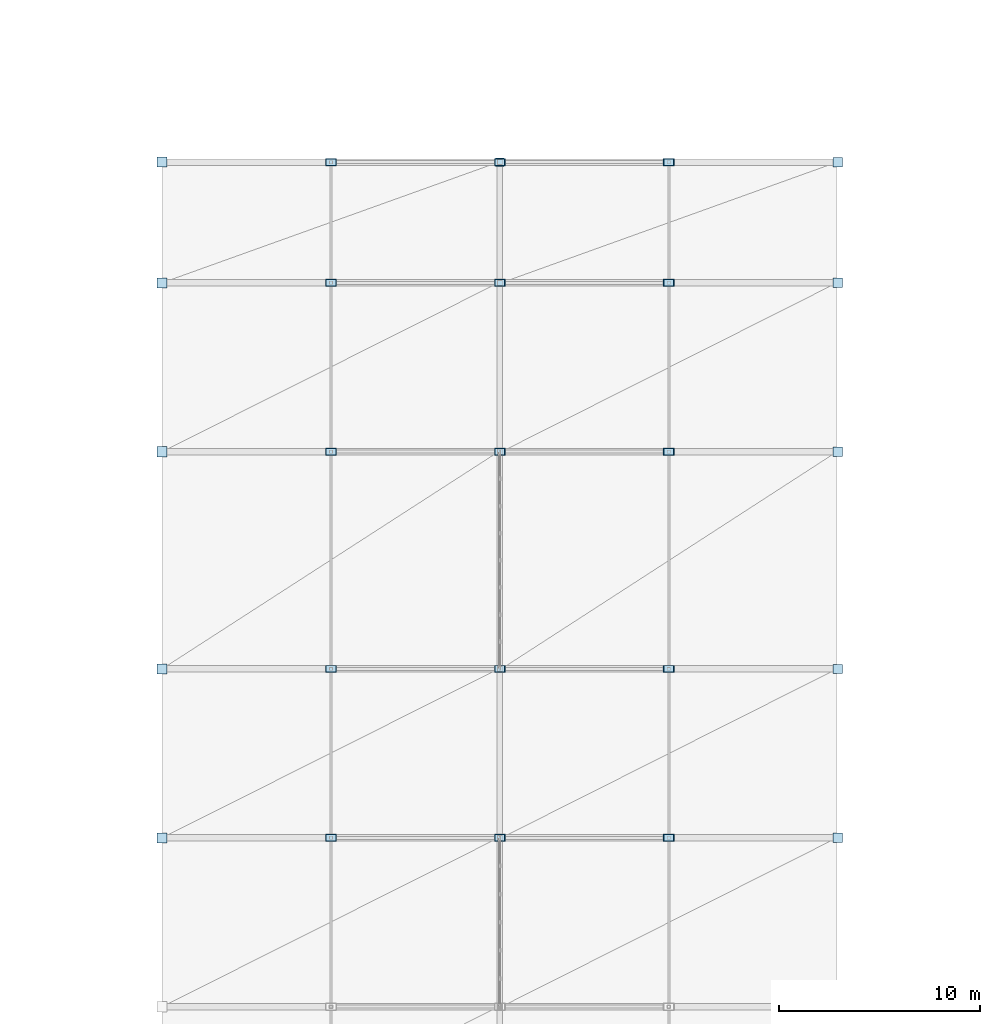
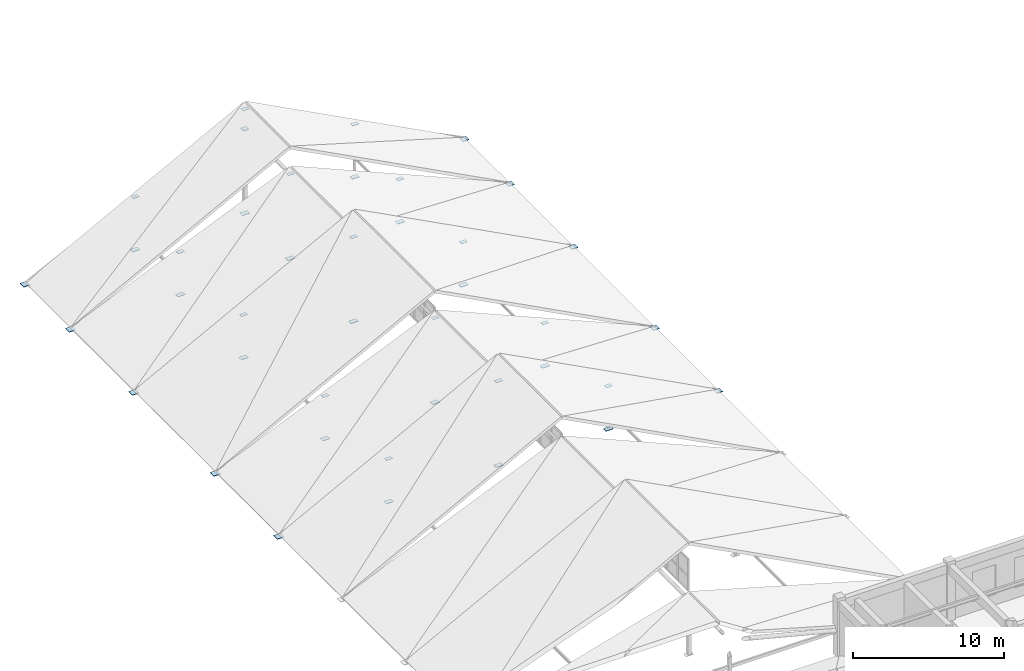
# One storey, part 64 of 76: 41 plates.
"""IFC4 building model written with IfcOpenShell, lengths in metres."""

import ifcopenshell
import ifcopenshell.guid

model = None  # the IFC model being written
_history = None  # IfcOwnerHistory: only IFC2X3 demands one
_inside = {}  # id of a spatial element -> (the spatial element, [elements in it])
_under = {}  # id of a project, library or spatial element -> (it, [spatial elements below it])
_declared = {}  # id of a project -> (the project, [libraries it declares])
_typed = {}  # id of a type object -> (the type object, [elements of that type])
_made_of = {}  # id of a material, layer set ... -> (it, [elements and type objects made of it])


def new_model(schema):
    """Start an empty IFC model of exactly this schema.

    Asked for "IFC4X3", IfcOpenShell would pick the latest addendum, in which some entities
    have other attributes; the version numbers below select the first issue.
    IFC2X3 requires an IfcOwnerHistory on every rooted entity: one is made here for all.
    """
    global model, _history
    if schema == "IFC4X3":
        model = ifcopenshell.file(schema_version=(4, 3, 0, 0))
    else:
        model = ifcopenshell.file(schema=schema)
    _inside.clear()
    _under.clear()
    _declared.clear()
    _typed.clear()
    _made_of.clear()
    _history = None
    if model.schema == "IFC2X3":
        org = make("IfcOrganization", Name="unknown")
        user = make(
            "IfcPersonAndOrganization",
            ThePerson=make("IfcPerson", FamilyName="unknown"),
            TheOrganization=org,
        )
        app = make(
            "IfcApplication",
            ApplicationDeveloper=org,
            Version="unknown",
            ApplicationFullName="unknown",
            ApplicationIdentifier="unknown",
        )
        _history = make(
            "IfcOwnerHistory",
            OwningUser=user,
            OwningApplication=app,
            ChangeAction="ADDED",
            CreationDate=0,
        )
    return model


def make(cls, **values):
    """One entity of the class cls with the attributes given. An attribute that is None is left unset."""
    return model.create_entity(
        cls, **{name: value for name, value in values.items() if value is not None}
    )


def rooted(cls, **values):
    """An entity with a GlobalId (a new one), such as an element, a storey or a relation."""
    return make(cls, GlobalId=ifcopenshell.guid.new(), OwnerHistory=_history, **values)


def si_unit(unit_type, name, prefix=None):
    """IfcSIUnit, for example si_unit("LENGTHUNIT", "METRE", prefix="MILLI")."""
    return make("IfcSIUnit", UnitType=unit_type, Prefix=prefix, Name=name)


def assignment(units):
    """IfcUnitAssignment: the units of a project."""
    return None if units is None else make("IfcUnitAssignment", Units=units)


def point(xyz):
    """IfcCartesianPoint."""
    return None if xyz is None else make("IfcCartesianPoint", Coordinates=xyz)


def direction(xyz):
    """IfcDirection."""
    return None if xyz is None else make("IfcDirection", DirectionRatios=xyz)


def frame(location, z_axis=None, x_axis=None):
    """IfcAxis2Placement3D, a coordinate frame: its origin and axes. An axis left out is left unset."""
    return make(
        "IfcAxis2Placement3D",
        Location=point(location),
        Axis=direction(z_axis),
        RefDirection=direction(x_axis),
    )


def frame_2d(location, x_axis=None):
    """IfcAxis2Placement2D, a coordinate frame in the plane: its origin and x axis."""
    return make(
        "IfcAxis2Placement2D", Location=point(location), RefDirection=direction(x_axis)
    )


def origin():
    """The frame at (0, 0, 0) with its axes left unset."""
    return frame((0.0, 0.0, 0.0))


def origin_2d():
    """The frame at (0, 0) in the plane with its x axis left unset."""
    return frame_2d((0.0, 0.0))


def place(relative_to, where):
    """IfcLocalPlacement: puts the frame where relative to a parent placement (None: the world)."""
    return make(
        "IfcLocalPlacement", PlacementRelTo=relative_to, RelativePlacement=where
    )


def context(
    kind, dimensions, precision=None, world=None, true_north=None, identifier=None
):
    """IfcGeometricRepresentationContext, for example the 3D "Model" context."""
    return make(
        "IfcGeometricRepresentationContext",
        ContextIdentifier=identifier,
        ContextType=kind,
        CoordinateSpaceDimension=dimensions,
        Precision=precision,
        WorldCoordinateSystem=world,
        TrueNorth=true_north,
    )


def subcontext(parent, identifier, kind, view, scale=None):
    """IfcGeometricRepresentationSubContext, for example "Body" below "Model"."""
    return make(
        "IfcGeometricRepresentationSubContext",
        ContextIdentifier=identifier,
        ContextType=kind,
        ParentContext=parent,
        TargetScale=scale,
        TargetView=view,
    )


def project(units=None, contexts=None):
    """IfcProject with its units and contexts."""
    return rooted(
        "IfcProject",
        Name="project",
        RepresentationContexts=contexts,
        UnitsInContext=assignment(units),
    )


def spatial(cls, under=None, at=None, **own):
    """A site, building, storey or space (cls), placed at a placement, below another one or the project."""
    s = rooted(cls, ObjectPlacement=at, **own)
    if under is not None:
        _under.setdefault(under.id(), (under, []))[1].append(s)
    return s


def profile(cls, at=None, kind="AREA", **sizes):
    """A parametric profile (cls). Its sizes go by their IFC names, for example OverallWidth=200.0."""
    return make(cls, ProfileType=kind, Position=at, **sizes)


def rectangle(**sizes):
    """IfcRectangleProfileDef."""
    return profile("IfcRectangleProfileDef", **sizes)


def extrude(swept, where, along, depth):
    """IfcExtrudedAreaSolid: the profile swept, set in the frame where, extruded along a direction by depth."""
    return make(
        "IfcExtrudedAreaSolid",
        SweptArea=swept,
        Position=where,
        ExtrudedDirection=direction(along),
        Depth=depth,
    )


def shape(context_of_items, identifier, shape_type, items):
    """IfcShapeRepresentation: the items that make up one representation, for example the "Body"."""
    return make(
        "IfcShapeRepresentation",
        ContextOfItems=context_of_items,
        RepresentationIdentifier=identifier,
        RepresentationType=shape_type,
        Items=items,
    )


def material(Name=None, Category=None):
    """IfcMaterial."""
    return make("IfcMaterial", Name=Name, Category=Category)


def layer(
    of_material, thickness, ventilated=None, Name=None, Category=None, Priority=None
):
    """IfcMaterialLayer: one layer of a wall or slab, of a material (None: an air gap)."""
    return make(
        "IfcMaterialLayer",
        Material=of_material,
        LayerThickness=thickness,
        IsVentilated=ventilated,
        Name=Name,
        Category=Category,
        Priority=Priority,
    )


def layer_set(layers, Name=None):
    """IfcMaterialLayerSet."""
    return make("IfcMaterialLayerSet", MaterialLayers=layers, LayerSetName=Name)


def made_of(thing, what):
    """Note that an element or type object is made of a material, layer set ...; save() writes the relation."""
    if what is not None:
        _made_of.setdefault(what.id(), (what, []))[1].append(thing)
    return thing


def type_object(cls, material=None, **own):
    """A type object (cls), such as IfcWallType, which elements share."""
    return made_of(rooted(cls, **own), material)


def element(
    cls,
    number,
    at=None,
    inside=None,
    cuts=None,
    type_object=None,
    material=None,
    context=None,
    identifier="Body",
    shape_type=None,
    held_by="IfcProductDefinitionShape",
    body=None,
    shapes=None,
    **own,
):
    """One element of the class cls, such as IfcWall. Its Tag is "e" and its number.

    at: its placement. inside: the storey or other place that contains it. cuts: it is an
    opening in that element (IfcRelVoidsElement). A single representation is given by context,
    identifier, shape_type and body (its items); several are given by shapes. held_by: the class
    of the entity that holds the representations. save() writes the other relations.
    """
    e = rooted(cls, Tag="e%d" % number, ObjectPlacement=at, **own)
    if body is not None:
        shapes = [shape(context, identifier, shape_type, body)]
    if shapes is not None:
        e.Representation = make(held_by, Representations=shapes)
    if inside is not None:
        _inside.setdefault(inside.id(), (inside, []))[1].append(e)
    if cuts is not None:
        rooted(
            "IfcRelVoidsElement", RelatingBuildingElement=cuts, RelatedOpeningElement=e
        )
    if type_object is not None:
        _typed.setdefault(type_object.id(), (type_object, []))[1].append(e)
    return made_of(e, material)


def aggregate(whole, parts):
    """IfcRelAggregates: a whole, such as a stair, and the parts it consists of."""
    return rooted("IfcRelAggregates", RelatingObject=whole, RelatedObjects=parts)


def save(model, path):
    """Write the relations noted so far, then the file.

    IfcRelAggregates (storeys below a building ...), IfcRelContainedInSpatialStructure (elements
    in a storey), IfcRelDefinesByType, IfcRelAssociatesMaterial and IfcRelDeclares: one each for
    every whole, place, type object, material and project.
    """
    for whole, parts in _under.values():
        aggregate(whole, parts)
    for where, things in _inside.values():
        rooted(
            "IfcRelContainedInSpatialStructure",
            RelatedElements=things,
            RelatingStructure=where,
        )
    for kind, things in _typed.values():
        rooted("IfcRelDefinesByType", RelatedObjects=things, RelatingType=kind)
    for what, things in _made_of.values():
        rooted("IfcRelAssociatesMaterial", RelatedObjects=things, RelatingMaterial=what)
    for by, libraries in _declared.values():
        rooted("IfcRelDeclares", RelatingContext=by, RelatedDefinitions=libraries)
    model.write(path)


model = new_model("IFC4")

# Units and contexts
model_context = context("Model", 3, precision=1e-05, world=origin(), true_north=direction((0.0, 1.0)))
body_context = subcontext(model_context, "Body", "Model", "MODEL_VIEW")
ifc_project = project(units=[si_unit("LENGTHUNIT", "METRE"), si_unit("AREAUNIT", "SQUARE_METRE"), si_unit("VOLUMEUNIT", "CUBIC_METRE"), si_unit("PLANEANGLEUNIT", "RADIAN"), si_unit("MASSUNIT", "GRAM", prefix="KILO")], contexts=[model_context])

# Site, building, storey
site_placement = place(None, origin())
site = spatial("IfcSite", under=ifc_project, at=site_placement, CompositionType="ELEMENT")
building_placement = place(site_placement, origin())
building = spatial("IfcBuilding", under=site, at=building_placement, Name="Krzemoval Escarpment Law Courts", CompositionType="ELEMENT")
storey_placement = place(building_placement, frame((0.0, 0.0, 20.39990234375)))
storey = spatial("IfcBuildingStorey", under=building, at=storey_placement, Name="L04", CompositionType="ELEMENT", Elevation=20.39990234375)

# Plates
ifc_material_1 = material(Name="Steel S355", Category="steel")
ifc_layer_1 = layer(ifc_material_1, 0.02392578125)
ifc_layer_set_1 = layer_set([ifc_layer_1], Name="Steel S355")
plate_type_1 = type_object("IfcPlateType", Name="PLT-FLG-24", PredefinedType="USERDEFINED", material=ifc_layer_set_1)
plate_placement = place(storey_placement, frame((25.199951171875, 99.60009765625, 6.5380859375), z_axis=(0.0, 0.0, 1.0), x_axis=(1.0, 0.0, 0.0)))
element("IfcPlate", 1, at=plate_placement, inside=storey, type_object=plate_type_1, Name="Gusset and End-Cap Plate ECP-0107", ObjectType="FLANGE_PLATE", PredefinedType="USERDEFINED", context=body_context, shape_type="SweptSolid", body=[
    extrude(rectangle(XDim=0.419921875, YDim=0.419921875, at=origin_2d()), origin(), (0.0, 0.0, 1.0), 0.02392578125),
])
ifc_material_2 = material(Name="Steel S355", Category="steel")
ifc_layer_2 = layer(ifc_material_2, 0.034912109375)
ifc_layer_set_2 = layer_set([ifc_layer_2], Name="Steel S355")
plate_type_2 = type_object("IfcPlateType", Name="PLT-FLG-35", PredefinedType="USERDEFINED", material=ifc_layer_set_2)
for number, where, z_axis, x_axis, name in (
    (2, (42.0, 66.0, -0.16748046875), (0.0, 0.0, 1.0), (1.0, 0.0, 0.0), "Gusset and End-Cap Plate ECP-0073"),
    (3, (42.0, 74.39990234375, -0.16748046875), (0.0, 0.0, 1.0), (1.0, 0.0, 0.0), "Gusset and End-Cap Plate ECP-0081"),
    (4, (42.0, 85.199951171875, -0.16748046875), (0.0, 0.0, 1.0), (1.0, 0.0, 0.0), "Gusset and End-Cap Plate ECP-0089"),
    (5, (42.0, 93.60009765625, -0.16748046875), (0.0, 0.0, 1.0), (1.0, 0.0, 0.0), "Gusset and End-Cap Plate ECP-0097"),
    (6, (42.0, 99.60009765625, -0.16748046875), (0.0, 0.0, 1.0), (1.0, 0.0, 0.0), "Gusset and End-Cap Plate ECP-0105"),
):
    element("IfcPlate", number, at=place(storey_placement, frame(where, z_axis=z_axis, x_axis=x_axis)), inside=storey, type_object=plate_type_2, Name=name, ObjectType="FLANGE_PLATE", PredefinedType="USERDEFINED", context=body_context, shape_type="SweptSolid", body=[
        extrude(rectangle(XDim=0.4599609375, YDim=0.4599609375, at=origin_2d()), origin(), (0.0, 0.0, 1.0), 0.034912109375),
    ])
ifc_material_3 = material(Name="Steel S355", Category="steel")
ifc_layer_3 = layer(ifc_material_3, 0.0400390625)
ifc_layer_set_3 = layer_set([ifc_layer_3], Name="Steel S355")
plate_type_3 = type_object("IfcPlateType", Name="PLT-FLG-40", PredefinedType="USERDEFINED", material=ifc_layer_set_3)
for number, where, z_axis, x_axis, name in (
    (7, (8.39990234375, 66.0, -0.169921875), (0.0, 0.0, 1.0), (1.0, 0.0, 0.0), "Gusset and End-Cap Plate ECP-0072"),
    (8, (8.39990234375, 74.39990234375, -0.169921875), (0.0, 0.0, 1.0), (1.0, 0.0, 0.0), "Gusset and End-Cap Plate ECP-0080"),
    (9, (8.39990234375, 85.199951171875, -0.169921875), (0.0, 0.0, 1.0), (1.0, 0.0, 0.0), "Gusset and End-Cap Plate ECP-0088"),
    (10, (8.39990234375, 93.60009765625, -0.169921875), (0.0, 0.0, 1.0), (1.0, 0.0, 0.0), "Gusset and End-Cap Plate ECP-0096"),
    (11, (8.39990234375, 99.60009765625, -0.169921875), (0.0, 0.0, 1.0), (1.0, 0.0, 0.0), "Gusset and End-Cap Plate ECP-0104"),
):
    element("IfcPlate", number, at=place(storey_placement, frame(where, z_axis=z_axis, x_axis=x_axis)), inside=storey, type_object=plate_type_3, Name=name, ObjectType="FLANGE_PLATE", PredefinedType="USERDEFINED", context=body_context, shape_type="SweptSolid", body=[
        extrude(rectangle(XDim=0.5, YDim=0.5, at=origin_2d()), origin(), (0.0, 0.0, 1.0), 0.0400390625),
    ])
ifc_material_4 = material(Name="Steel S355", Category="steel")
ifc_layer_4 = layer(ifc_material_4, 0.02001953125)
ifc_layer_set_4 = layer_set([ifc_layer_4], Name="Steel S355")
plate_type_4 = type_object("IfcPlateType", Name="PLT-GUS-20", PredefinedType="USERDEFINED", material=ifc_layer_set_4)
for number, where, z_axis, x_axis, name in (
    (12, (25.199951171875, 66.0, 6.5400390625), (0.0, 0.0, 1.0), (1.0, 0.0, 0.0), "Gusset and End-Cap Plate ECP-0067"),
    (13, (16.800048828125, 66.0, 3.190185546875), (0.0, 0.0, 1.0), (1.0, 0.0, 0.0), "Gusset and End-Cap Plate ECP-0069"),
    (14, (33.60009765625, 66.0, 3.190185546875), (0.0, 0.0, 1.0), (1.0, 0.0, 0.0), "Gusset and End-Cap Plate ECP-0071"),
    (15, (25.199951171875, 74.39990234375, 6.5400390625), (0.0, 0.0, 1.0), (1.0, 0.0, 0.0), "Gusset and End-Cap Plate ECP-0075"),
    (16, (16.800048828125, 74.39990234375, 3.190185546875), (0.0, 0.0, 1.0), (1.0, 0.0, 0.0), "Gusset and End-Cap Plate ECP-0077"),
    (17, (33.60009765625, 74.39990234375, 3.190185546875), (0.0, 0.0, 1.0), (1.0, 0.0, 0.0), "Gusset and End-Cap Plate ECP-0079"),
    (18, (25.199951171875, 85.199951171875, 6.5400390625), (0.0, 0.0, 1.0), (1.0, 0.0, 0.0), "Gusset and End-Cap Plate ECP-0083"),
    (19, (16.800048828125, 85.199951171875, 3.190185546875), (0.0, 0.0, 1.0), (1.0, 0.0, 0.0), "Gusset and End-Cap Plate ECP-0085"),
    (20, (33.60009765625, 85.199951171875, 3.190185546875), (0.0, 0.0, 1.0), (1.0, 0.0, 0.0), "Gusset and End-Cap Plate ECP-0087"),
    (21, (25.199951171875, 93.60009765625, 6.5400390625), (0.0, 0.0, 1.0), (1.0, 0.0, 0.0), "Gusset and End-Cap Plate ECP-0091"),
    (22, (16.800048828125, 93.60009765625, 3.190185546875), (0.0, 0.0, 1.0), (1.0, 0.0, 0.0), "Gusset and End-Cap Plate ECP-0093"),
    (23, (33.60009765625, 93.60009765625, 3.190185546875), (0.0, 0.0, 1.0), (1.0, 0.0, 0.0), "Gusset and End-Cap Plate ECP-0095"),
    (24, (25.199951171875, 99.60009765625, 8.14013671875), (0.0, 0.0, 1.0), (1.0, 0.0, 0.0), "Gusset and End-Cap Plate ECP-0099"),
    (25, (16.800048828125, 99.60009765625, 3.989990234375), (0.0, 0.0, 1.0), (1.0, 0.0, 0.0), "Gusset and End-Cap Plate ECP-0101"),
    (26, (33.60009765625, 99.60009765625, 3.989990234375), (0.0, 0.0, 1.0), (1.0, 0.0, 0.0), "Gusset and End-Cap Plate ECP-0103"),
):
    element("IfcPlate", number, at=place(storey_placement, frame(where, z_axis=z_axis, x_axis=x_axis)), inside=storey, type_object=plate_type_4, Name=name, ObjectType="GUSSET_PLATE", PredefinedType="USERDEFINED", context=body_context, shape_type="SweptSolid", body=[
        extrude(rectangle(XDim=0.47998046875, YDim=0.320068359375, at=origin_2d()), origin(), (0.0, 0.0, 1.0), 0.02001953125),
    ])
ifc_material_5 = material(Name="Steel S355", Category="steel")
ifc_layer_5 = layer(ifc_material_5, 0.030029296875)
ifc_layer_set_5 = layer_set([ifc_layer_5], Name="Steel S355")
plate_type_5 = type_object("IfcPlateType", Name="PLT-GUS-30", PredefinedType="USERDEFINED", material=ifc_layer_set_5)
for number, where, z_axis, x_axis, name in (
    (27, (25.199951171875, 66.0, -0.294921875), (0.0, 0.0, 1.0), (1.0, 0.0, 0.0), "Gusset and End-Cap Plate ECP-0066"),
    (28, (16.800048828125, 66.0, -0.294921875), (0.0, 0.0, 1.0), (1.0, 0.0, 0.0), "Gusset and End-Cap Plate ECP-0068"),
    (29, (33.60009765625, 66.0, -0.294921875), (0.0, 0.0, 1.0), (1.0, 0.0, 0.0), "Gusset and End-Cap Plate ECP-0070"),
    (30, (25.199951171875, 74.39990234375, -0.294921875), (0.0, 0.0, 1.0), (1.0, 0.0, 0.0), "Gusset and End-Cap Plate ECP-0074"),
    (31, (16.800048828125, 74.39990234375, -0.294921875), (0.0, 0.0, 1.0), (1.0, 0.0, 0.0), "Gusset and End-Cap Plate ECP-0076"),
    (32, (33.60009765625, 74.39990234375, -0.294921875), (0.0, 0.0, 1.0), (1.0, 0.0, 0.0), "Gusset and End-Cap Plate ECP-0078"),
    (33, (25.199951171875, 85.199951171875, -0.294921875), (0.0, 0.0, 1.0), (1.0, 0.0, 0.0), "Gusset and End-Cap Plate ECP-0082"),
    (34, (16.800048828125, 85.199951171875, -0.294921875), (0.0, 0.0, 1.0), (1.0, 0.0, 0.0), "Gusset and End-Cap Plate ECP-0084"),
    (35, (33.60009765625, 85.199951171875, -0.294921875), (0.0, 0.0, 1.0), (1.0, 0.0, 0.0), "Gusset and End-Cap Plate ECP-0086"),
    (36, (25.199951171875, 93.60009765625, -0.294921875), (0.0, 0.0, 1.0), (1.0, 0.0, 0.0), "Gusset and End-Cap Plate ECP-0090"),
    (37, (16.800048828125, 93.60009765625, -0.294921875), (0.0, 0.0, 1.0), (1.0, 0.0, 0.0), "Gusset and End-Cap Plate ECP-0092"),
    (38, (33.60009765625, 93.60009765625, -0.294921875), (0.0, 0.0, 1.0), (1.0, 0.0, 0.0), "Gusset and End-Cap Plate ECP-0094"),
    (39, (25.199951171875, 99.60009765625, -0.294921875), (0.0, 0.0, 1.0), (1.0, 0.0, 0.0), "Gusset and End-Cap Plate ECP-0098"),
    (40, (16.800048828125, 99.60009765625, -0.294921875), (0.0, 0.0, 1.0), (1.0, 0.0, 0.0), "Gusset and End-Cap Plate ECP-0100"),
    (41, (33.60009765625, 99.60009765625, -0.294921875), (0.0, 0.0, 1.0), (1.0, 0.0, 0.0), "Gusset and End-Cap Plate ECP-0102"),
):
    element("IfcPlate", number, at=place(storey_placement, frame(where, z_axis=z_axis, x_axis=x_axis)), inside=storey, type_object=plate_type_5, Name=name, ObjectType="GUSSET_PLATE", PredefinedType="USERDEFINED", context=body_context, shape_type="SweptSolid", body=[
        extrude(rectangle(XDim=0.56005859375, YDim=0.360107421875, at=origin_2d()), origin(), (0.0, 0.0, 1.0), 0.030029296875),
    ])

save(model, "model.ifc")
